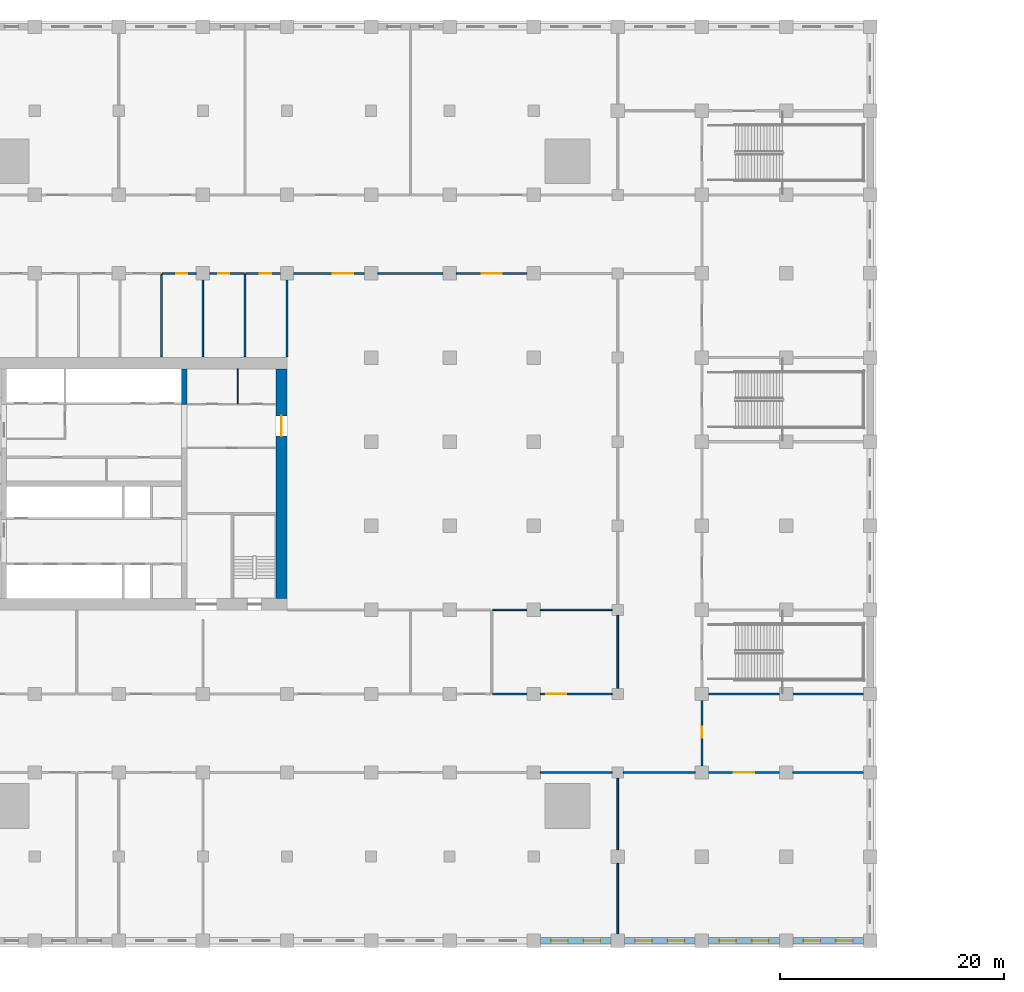
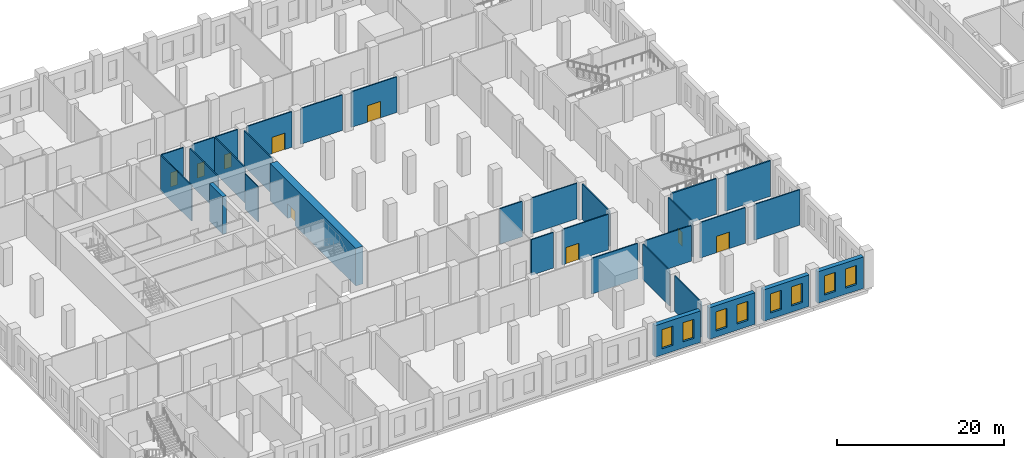
# One storey, part 7 of 25: 31 walls, 9 doors, 8 windows, 17 openings.
"""IFC4 building model written with IfcOpenShell, lengths in metres."""

from ifc_helpers import new_model, si_unit, direction, frame, frame_2d, origin, place, context, subcontext, project, spatial, rectangle, extrude, material, layer, layer_set, type_object, element, fill, save


model = new_model("IFC4")

# Units and contexts
model_context = context("Model", 3, precision=1e-05, world=origin(), true_north=direction((0.0, 1.0)))
body_context = subcontext(model_context, "Body", "Model", "MODEL_VIEW")
ifc_project = project(units=[si_unit("LENGTHUNIT", "METRE"), si_unit("AREAUNIT", "SQUARE_METRE"), si_unit("VOLUMEUNIT", "CUBIC_METRE"), si_unit("PLANEANGLEUNIT", "RADIAN"), si_unit("MASSUNIT", "GRAM", prefix="KILO")], contexts=[model_context])

# Site, building, storey
site_placement = place(None, origin())
site = spatial("IfcSite", under=ifc_project, at=site_placement, CompositionType="ELEMENT")
building_placement = place(site_placement, origin())
building = spatial("IfcBuilding", under=site, at=building_placement, Name="Tamorin Gate", CompositionType="ELEMENT")
storey_placement = place(building_placement, frame((0.0, 0.0, 23.5)))
storey = spatial("IfcBuildingStorey", under=building, at=storey_placement, Name="L04", CompositionType="ELEMENT", Elevation=23.5)

# Walls
ifc_material_1 = material(Name="Concrete masonry C20/25", Category="masonry")
ifc_layer_1 = layer(ifc_material_1, 0.14990234375)
ifc_layer_set_1 = layer_set([ifc_layer_1], Name="Partition 150")
wall_type_1 = type_object("IfcWallType", Name="Partition 150", PredefinedType="PARTITIONING", material=ifc_layer_set_1)
for number, where, z_axis, x_axis, name in (
    (1, (82.60009765625, 45.5, 0.0), (0.0, 0.0, 1.0), (1.0, 0.0, 0.0), "Partition 150 L04"),
    (2, (90.0, 45.5, 0.0), (0.0, 0.0, 1.0), (1.0, 0.0, 0.0), "Partition 150 L04"),
):
    element("IfcWall", number, at=place(storey_placement, frame(where, z_axis=z_axis, x_axis=x_axis)), inside=storey, type_object=wall_type_1, Name=name, PredefinedType="PARTITIONING", context=body_context, shape_type="SweptSolid", body=[
        extrude(rectangle(XDim=6.39990234375, YDim=0.14990234375, at=frame_2d((3.199951171875, 0.0))), origin(), (0.0, 0.0, 1.0), 5.199951171875),
    ])

# Wall, opening, door
wall_1_placement = place(storey_placement, frame((97.60009765625, 45.5, 0.0), z_axis=(0.0, 0.0, 1.0), x_axis=(1.0, 0.0, 0.0)))
wall_1 = element("IfcWall", 3, at=wall_1_placement, inside=storey, type_object=wall_type_1, Name="Partition 150 L04", PredefinedType="PARTITIONING", context=body_context, shape_type="SweptSolid", body=[
    extrude(rectangle(XDim=6.2998046875, YDim=0.14990234375, at=frame_2d((3.14990234375, 0.0))), origin(), (0.0, 0.0, 1.0), 5.199951171875),
])
opening_1_placement = place(wall_1_placement, frame((2.25, 0.0, 0.0)))
opening_1 = element("IfcOpeningElement", 4, at=opening_1_placement, cuts=wall_1, Name="Opening DP3", PredefinedType="OPENING", context=body_context, shape_type="SweptSolid", body=[
    extrude(rectangle(XDim=1.800048828125, YDim=2.39990234375, at=frame_2d((0.89990234375, 1.199951171875))), frame((0.0, 0.0849609375, 0.0), z_axis=(0.0, -1.0, 0.0), x_axis=(1.0, 0.0, 0.0)), (0.0, 0.0, 1.0), 0.169921875),
])
ifc_material_2 = material(Name="Steel and glass", Category="steel")
door_type_1 = type_object("IfcDoorType", Name="Door pair 1800", OperationType="DOUBLE_DOOR_SINGLE_SWING", PredefinedType="DOOR", material=ifc_material_2)
door_1_placement = place(opening_1_placement, origin())
door_1 = element("IfcDoor", 5, at=door_1_placement, inside=storey, type_object=door_type_1, Name="Door pair 1800 L04", OperationType="SINGLE_SWING_LEFT", OverallHeight=2.39990234375, OverallWidth=1.800048828125, PredefinedType="DOOR", context=body_context, shape_type="SweptSolid", body=[
    extrude(rectangle(XDim=1.800048828125, YDim=2.39990234375, at=frame_2d((0.89990234375, 1.199951171875))), frame((0.0, 0.02490234375, 0.0), z_axis=(0.0, -1.0, 0.0), x_axis=(1.0, 0.0, 0.0)), (0.0, 0.0, 1.0), 0.050048828125),
])
fill(opening_1, door_1)

# Walls
wall_2_placement = place(storey_placement, frame((105.10009765625, 45.5, 0.0), z_axis=(0.0, 0.0, 1.0), x_axis=(1.0, 0.0, 0.0)))
element("IfcWall", 6, at=wall_2_placement, inside=storey, type_object=wall_type_1, Name="Partition 150 L04", PredefinedType="PARTITIONING", context=body_context, shape_type="SweptSolid", body=[
    extrude(rectangle(XDim=6.2998046875, YDim=0.14990234375, at=frame_2d((3.14990234375, 0.0))), origin(), (0.0, 0.0, 1.0), 5.199951171875),
])
wall_3_placement = place(storey_placement, frame((78.324951171875, 52.5, 0.0), z_axis=(0.0, 0.0, 1.0), x_axis=(1.0, 0.0, 0.0)))
element("IfcWall", 7, at=wall_3_placement, inside=storey, type_object=wall_type_1, Name="Partition 150 L04", PredefinedType="PARTITIONING", context=body_context, shape_type="SweptSolid", body=[
    extrude(rectangle(XDim=3.074951171875, YDim=0.14990234375, at=frame_2d((1.53759765625, 0.0))), origin(), (0.0, 0.0, 1.0), 5.199951171875),
])

# Wall, opening, door
wall_4_placement = place(storey_placement, frame((89.0, 52.5, 0.0), z_axis=(0.0, 0.0, 1.0), x_axis=(-1.0, 0.0, 0.0)))
wall_4 = element("IfcWall", 8, at=wall_4_placement, inside=storey, type_object=wall_type_1, Name="Partition 150 L04", PredefinedType="PARTITIONING", context=body_context, shape_type="SweptSolid", body=[
    extrude(rectangle(XDim=6.39990234375, YDim=0.14990234375, at=frame_2d((3.199951171875, 0.0))), origin(), (0.0, 0.0, 1.0), 5.199951171875),
])
opening_2_placement = place(wall_4_placement, frame((4.10009765625, 0.0, 0.0)))
opening_2 = element("IfcOpeningElement", 9, at=opening_2_placement, cuts=wall_4, Name="Opening DP3", PredefinedType="OPENING", context=body_context, shape_type="SweptSolid", body=[
    extrude(rectangle(XDim=1.800048828125, YDim=2.39990234375, at=frame_2d((0.89990234375, 1.199951171875))), frame((0.0, 0.0849609375, 0.0), z_axis=(0.0, -1.0, 0.0), x_axis=(1.0, 0.0, 0.0)), (0.0, 0.0, 1.0), 0.169921875),
])
door_2_placement = place(opening_2_placement, origin())
door_2 = element("IfcDoor", 10, at=door_2_placement, inside=storey, type_object=door_type_1, Name="Door pair 1800 L04", OperationType="SINGLE_SWING_LEFT", OverallHeight=2.39990234375, OverallWidth=1.800048828125, PredefinedType="DOOR", context=body_context, shape_type="SweptSolid", body=[
    extrude(rectangle(XDim=1.800048828125, YDim=2.39990234375, at=frame_2d((0.89990234375, 1.199951171875))), frame((0.0, 0.02490234375, 0.0), z_axis=(0.0, -1.0, 0.0), x_axis=(1.0, 0.0, 0.0)), (0.0, 0.0, 1.0), 0.050048828125),
])
fill(opening_2, door_2)

# Walls
wall_5_placement = place(storey_placement, frame((78.324951171875, 60.0, 0.0), z_axis=(0.0, 0.0, 1.0), x_axis=(1.0, 0.0, 0.0)))
element("IfcWall", 11, at=wall_5_placement, inside=storey, type_object=wall_type_1, Name="Partition 150 L04", PredefinedType="PARTITIONING", context=body_context, shape_type="SweptSolid", body=[
    extrude(rectangle(XDim=3.074951171875, YDim=0.14990234375, at=frame_2d((1.53759765625, 0.0))), origin(), (0.0, 0.0, 1.0), 5.199951171875),
])
wall_6_placement = place(storey_placement, frame((82.60009765625, 60.0, 0.0), z_axis=(0.0, 0.0, 1.0), x_axis=(1.0, 0.0, 0.0)))
element("IfcWall", 12, at=wall_6_placement, inside=storey, type_object=wall_type_1, Name="Partition 150 L04", PredefinedType="PARTITIONING", context=body_context, shape_type="SweptSolid", body=[
    extrude(rectangle(XDim=6.39990234375, YDim=0.14990234375, at=frame_2d((3.199951171875, 0.0))), origin(), (0.0, 0.0, 1.0), 5.199951171875),
])

# Wall, opening, door
wall_7_placement = place(storey_placement, frame((48.875, 90.0, 0.0), z_axis=(0.0, 0.0, 1.0), x_axis=(1.0, 0.0, 0.0)))
wall_7 = element("IfcWall", 13, at=wall_7_placement, inside=storey, type_object=wall_type_1, Name="Partition 150 L04", PredefinedType="PARTITIONING", context=body_context, shape_type="SweptSolid", body=[
    extrude(rectangle(XDim=3.02490234375, YDim=0.14990234375, at=frame_2d((1.512451171875, 0.0))), origin(), (0.0, 0.0, 1.0), 5.199951171875),
])
opening_3_placement = place(wall_7_placement, frame((1.25, 0.0, 0.0)))
opening_3 = element("IfcOpeningElement", 14, at=opening_3_placement, cuts=wall_7, Name="Opening DP2", PredefinedType="OPENING", context=body_context, shape_type="SweptSolid", body=[
    extrude(rectangle(XDim=1.0, YDim=2.10009765625, at=frame_2d((0.5, 1.050048828125))), frame((0.0, 0.0849609375, 0.0), z_axis=(0.0, -1.0, 0.0), x_axis=(1.0, 0.0, 0.0)), (0.0, 0.0, 1.0), 0.169921875),
])
ifc_material_3 = material(Name="Painted steel", Category="steel")
door_type_2 = type_object("IfcDoorType", Name="Door single 1000", OperationType="SINGLE_SWING_LEFT", PredefinedType="DOOR", material=ifc_material_3)
door_3_placement = place(opening_3_placement, origin())
door_3 = element("IfcDoor", 15, at=door_3_placement, inside=storey, type_object=door_type_2, Name="Door single 1000 L04", OperationType="SINGLE_SWING_LEFT", OverallHeight=2.10009765625, OverallWidth=1.0, PredefinedType="DOOR", context=body_context, shape_type="SweptSolid", body=[
    extrude(rectangle(XDim=1.0, YDim=2.10009765625, at=frame_2d((0.5, 1.050048828125))), frame((0.0, 0.02490234375, 0.0), z_axis=(0.0, -1.0, 0.0), x_axis=(1.0, 0.0, 0.0)), (0.0, 0.0, 1.0), 0.050048828125),
])
fill(opening_3, door_3)

wall_8_placement = place(storey_placement, frame((53.10009765625, 90.0, 0.0), z_axis=(0.0, 0.0, 1.0), x_axis=(1.0, 0.0, 0.0)))
wall_8 = element("IfcWall", 16, at=wall_8_placement, inside=storey, type_object=wall_type_1, Name="Partition 150 L04", PredefinedType="PARTITIONING", context=body_context, shape_type="SweptSolid", body=[
    extrude(rectangle(XDim=3.074951171875, YDim=0.14990234375, at=frame_2d((1.53759765625, 0.0))), origin(), (0.0, 0.0, 1.0), 5.199951171875),
])
opening_4_placement = place(wall_8_placement, frame((0.75, 0.0, 0.0)))
opening_4 = element("IfcOpeningElement", 17, at=opening_4_placement, cuts=wall_8, Name="Opening DP2", PredefinedType="OPENING", context=body_context, shape_type="SweptSolid", body=[
    extrude(rectangle(XDim=1.0, YDim=2.10009765625, at=frame_2d((0.5, 1.050048828125))), frame((0.0, 0.0849609375, 0.0), z_axis=(0.0, -1.0, 0.0), x_axis=(1.0, 0.0, 0.0)), (0.0, 0.0, 1.0), 0.169921875),
])
door_4_placement = place(opening_4_placement, origin())
door_4 = element("IfcDoor", 18, at=door_4_placement, inside=storey, type_object=door_type_2, Name="Door single 1000 L04", OperationType="SINGLE_SWING_LEFT", OverallHeight=2.10009765625, OverallWidth=1.0, PredefinedType="DOOR", context=body_context, shape_type="SweptSolid", body=[
    extrude(rectangle(XDim=1.0, YDim=2.10009765625, at=frame_2d((0.5, 1.050048828125))), frame((0.0, 0.02490234375, 0.0), z_axis=(0.0, -1.0, 0.0), x_axis=(1.0, 0.0, 0.0)), (0.0, 0.0, 1.0), 0.050048828125),
])
fill(opening_4, door_4)

wall_9_placement = place(storey_placement, frame((56.324951171875, 90.0, 0.0), z_axis=(0.0, 0.0, 1.0), x_axis=(1.0, 0.0, 0.0)))
wall_9 = element("IfcWall", 19, at=wall_9_placement, inside=storey, type_object=wall_type_1, Name="Partition 150 L04", PredefinedType="PARTITIONING", context=body_context, shape_type="SweptSolid", body=[
    extrude(rectangle(XDim=3.074951171875, YDim=0.14990234375, at=frame_2d((1.53759765625, 0.0))), origin(), (0.0, 0.0, 1.0), 5.199951171875),
])
opening_5_placement = place(wall_9_placement, frame((1.25, 0.0, 0.0)))
opening_5 = element("IfcOpeningElement", 20, at=opening_5_placement, cuts=wall_9, Name="Opening DP2", PredefinedType="OPENING", context=body_context, shape_type="SweptSolid", body=[
    extrude(rectangle(XDim=1.0, YDim=2.10009765625, at=frame_2d((0.5, 1.050048828125))), frame((0.0, 0.0849609375, 0.0), z_axis=(0.0, -1.0, 0.0), x_axis=(1.0, 0.0, 0.0)), (0.0, 0.0, 1.0), 0.169921875),
])
door_5_placement = place(opening_5_placement, origin())
door_5 = element("IfcDoor", 21, at=door_5_placement, inside=storey, type_object=door_type_2, Name="Door single 1000 L04", OperationType="SINGLE_SWING_LEFT", OverallHeight=2.10009765625, OverallWidth=1.0, PredefinedType="DOOR", context=body_context, shape_type="SweptSolid", body=[
    extrude(rectangle(XDim=1.0, YDim=2.10009765625, at=frame_2d((0.5, 1.050048828125))), frame((0.0, 0.02490234375, 0.0), z_axis=(0.0, -1.0, 0.0), x_axis=(1.0, 0.0, 0.0)), (0.0, 0.0, 1.0), 0.050048828125),
])
fill(opening_5, door_5)

wall_10_placement = place(storey_placement, frame((60.60009765625, 90.0, 0.0), z_axis=(0.0, 0.0, 1.0), x_axis=(1.0, 0.0, 0.0)))
wall_10 = element("IfcWall", 22, at=wall_10_placement, inside=storey, type_object=wall_type_1, Name="Partition 150 L04", PredefinedType="PARTITIONING", context=body_context, shape_type="SweptSolid", body=[
    extrude(rectangle(XDim=6.2998046875, YDim=0.14990234375, at=frame_2d((3.14990234375, 0.0))), origin(), (0.0, 0.0, 1.0), 5.199951171875),
])
opening_6_placement = place(wall_10_placement, frame((3.5, 0.0, 0.0)))
opening_6 = element("IfcOpeningElement", 23, at=opening_6_placement, cuts=wall_10, Name="Opening DP3", PredefinedType="OPENING", context=body_context, shape_type="SweptSolid", body=[
    extrude(rectangle(XDim=1.800048828125, YDim=2.39990234375, at=frame_2d((0.89990234375, 1.199951171875))), frame((0.0, 0.0849609375, 0.0), z_axis=(0.0, -1.0, 0.0), x_axis=(1.0, 0.0, 0.0)), (0.0, 0.0, 1.0), 0.169921875),
])
door_6_placement = place(opening_6_placement, origin())
door_6 = element("IfcDoor", 24, at=door_6_placement, inside=storey, type_object=door_type_1, Name="Door pair 1800 L04", OperationType="SINGLE_SWING_LEFT", OverallHeight=2.39990234375, OverallWidth=1.800048828125, PredefinedType="DOOR", context=body_context, shape_type="SweptSolid", body=[
    extrude(rectangle(XDim=1.800048828125, YDim=2.39990234375, at=frame_2d((0.89990234375, 1.199951171875))), frame((0.0, 0.02490234375, 0.0), z_axis=(0.0, -1.0, 0.0), x_axis=(1.0, 0.0, 0.0)), (0.0, 0.0, 1.0), 0.050048828125),
])
fill(opening_6, door_6)

# Wall
wall_11_placement = place(storey_placement, frame((68.10009765625, 90.0, 0.0), z_axis=(0.0, 0.0, 1.0), x_axis=(1.0, 0.0, 0.0)))
element("IfcWall", 25, at=wall_11_placement, inside=storey, type_object=wall_type_1, Name="Partition 150 L04", PredefinedType="PARTITIONING", context=body_context, shape_type="SweptSolid", body=[
    extrude(rectangle(XDim=5.7998046875, YDim=0.14990234375, at=frame_2d((2.89990234375, 0.0))), origin(), (0.0, 0.0, 1.0), 5.199951171875),
])

# Wall, opening, door
wall_12_placement = place(storey_placement, frame((75.10009765625, 90.0, 0.0), z_axis=(0.0, 0.0, 1.0), x_axis=(1.0, 0.0, 0.0)))
wall_12 = element("IfcWall", 26, at=wall_12_placement, inside=storey, type_object=wall_type_1, Name="Partition 150 L04", PredefinedType="PARTITIONING", context=body_context, shape_type="SweptSolid", body=[
    extrude(rectangle(XDim=6.2998046875, YDim=0.14990234375, at=frame_2d((3.14990234375, 0.0))), origin(), (0.0, 0.0, 1.0), 5.199951171875),
])
opening_7_placement = place(wall_12_placement, frame((2.25, 0.0, 0.0)))
opening_7 = element("IfcOpeningElement", 27, at=opening_7_placement, cuts=wall_12, Name="Opening DP3", PredefinedType="OPENING", context=body_context, shape_type="SweptSolid", body=[
    extrude(rectangle(XDim=1.800048828125, YDim=2.39990234375, at=frame_2d((0.89990234375, 1.199951171875))), frame((0.0, 0.0849609375, 0.0), z_axis=(0.0, -1.0, 0.0), x_axis=(1.0, 0.0, 0.0)), (0.0, 0.0, 1.0), 0.169921875),
])
door_7_placement = place(opening_7_placement, origin())
door_7 = element("IfcDoor", 28, at=door_7_placement, inside=storey, type_object=door_type_1, Name="Door pair 1800 L04", OperationType="SINGLE_SWING_LEFT", OverallHeight=2.39990234375, OverallWidth=1.800048828125, PredefinedType="DOOR", context=body_context, shape_type="SweptSolid", body=[
    extrude(rectangle(XDim=1.800048828125, YDim=2.39990234375, at=frame_2d((0.89990234375, 1.199951171875))), frame((0.0, 0.02490234375, 0.0), z_axis=(0.0, -1.0, 0.0), x_axis=(1.0, 0.0, 0.0)), (0.0, 0.0, 1.0), 0.050048828125),
])
fill(opening_7, door_7)

wall_13_placement = place(storey_placement, frame((97.0, 46.10009765625, 0.0), z_axis=(0.0, 0.0, 1.0), x_axis=(0.0, 1.0, 0.0)))
wall_13 = element("IfcWall", 29, at=wall_13_placement, inside=storey, type_object=wall_type_1, Name="Partition 150 L04", PredefinedType="PARTITIONING", context=body_context, shape_type="SweptSolid", body=[
    extrude(rectangle(XDim=5.7998046875, YDim=0.14990234375, at=frame_2d((2.89990234375, 0.0))), origin(), (0.0, 0.0, 1.0), 5.199951171875),
])
opening_8_placement = place(wall_13_placement, frame((2.5, 0.0, 0.0)))
opening_8 = element("IfcOpeningElement", 30, at=opening_8_placement, cuts=wall_13, Name="Opening DP2", PredefinedType="OPENING", context=body_context, shape_type="SweptSolid", body=[
    extrude(rectangle(XDim=1.0, YDim=2.10009765625, at=frame_2d((0.5, 1.050048828125))), frame((0.0, 0.0849609375, 0.0), z_axis=(0.0, -1.0, 0.0), x_axis=(1.0, 0.0, 0.0)), (0.0, 0.0, 1.0), 0.169921875),
])
door_8_placement = place(opening_8_placement, origin())
door_8 = element("IfcDoor", 31, at=door_8_placement, inside=storey, type_object=door_type_2, Name="Door single 1000 L04", OperationType="SINGLE_SWING_LEFT", OverallHeight=2.10009765625, OverallWidth=1.0, PredefinedType="DOOR", context=body_context, shape_type="SweptSolid", body=[
    extrude(rectangle(XDim=1.0, YDim=2.10009765625, at=frame_2d((0.5, 1.050048828125))), frame((0.0, 0.02490234375, 0.0), z_axis=(0.0, -1.0, 0.0), x_axis=(1.0, 0.0, 0.0)), (0.0, 0.0, 1.0), 0.050048828125),
])
fill(opening_8, door_8)

# Walls
wall_14_placement = place(storey_placement, frame((52.5, 82.574951171875, 0.0), z_axis=(0.0, 0.0, 1.0), x_axis=(0.0, 1.0, 0.0)))
element("IfcWall", 32, at=wall_14_placement, inside=storey, type_object=wall_type_1, Name="Partition 150 L04", PredefinedType="PARTITIONING", context=body_context, shape_type="SweptSolid", body=[
    extrude(rectangle(XDim=6.824951171875, YDim=0.14990234375, at=frame_2d((3.41259765625, 0.0))), origin(), (0.0, 0.0, 1.0), 5.199951171875),
])
wall_15_placement = place(storey_placement, frame((89.5, 31.10009765625, 0.0), z_axis=(0.0, 0.0, 1.0), x_axis=(0.0, 1.0, 0.0)))
element("IfcWall", 33, at=wall_15_placement, inside=storey, type_object=wall_type_1, Name="Partition 150 L04", PredefinedType="PARTITIONING", context=body_context, shape_type="SweptSolid", body=[
    extrude(rectangle(XDim=6.2998046875, YDim=0.14990234375, at=frame_2d((3.14990234375, 0.0))), origin(), (0.0, 0.0, 1.0), 5.199951171875),
])
wall_16_placement = place(storey_placement, frame((89.5, 38.60009765625, 0.0), z_axis=(0.0, 0.0, 1.0), x_axis=(0.0, 1.0, 0.0)))
element("IfcWall", 34, at=wall_16_placement, inside=storey, type_object=wall_type_1, Name="Partition 150 L04", PredefinedType="PARTITIONING", context=body_context, shape_type="SweptSolid", body=[
    extrude(rectangle(XDim=6.39990234375, YDim=0.14990234375, at=frame_2d((3.199951171875, 0.0))), origin(), (0.0, 0.0, 1.0), 5.199951171875),
])
wall_17_placement = place(storey_placement, frame((89.5, 53.0, 0.0), z_axis=(0.0, 0.0, 1.0), x_axis=(0.0, 1.0, 0.0)))
element("IfcWall", 35, at=wall_17_placement, inside=storey, type_object=wall_type_1, Name="Partition 150 L04", PredefinedType="PARTITIONING", context=body_context, shape_type="SweptSolid", body=[
    extrude(rectangle(XDim=6.5, YDim=0.14990234375, at=frame_2d((3.25, 0.0))), origin(), (0.0, 0.0, 1.0), 5.199951171875),
])
for number, where, z_axis, x_axis, name in (
    (36, (56.25, 82.574951171875, 0.0), (0.0, 0.0, 1.0), (0.0, 1.0, 0.0), "Partition 150 L04"),
    (37, (48.800048828125, 82.574951171875, 0.0), (0.0, 0.0, 1.0), (0.0, 1.0, 0.0), "Partition 150 L04"),
):
    element("IfcWall", number, at=place(storey_placement, frame(where, z_axis=z_axis, x_axis=x_axis)), inside=storey, type_object=wall_type_1, Name=name, PredefinedType="PARTITIONING", context=body_context, shape_type="SweptSolid", body=[
        extrude(rectangle(XDim=7.35009765625, YDim=0.14990234375, at=frame_2d((3.675048828125, 0.0))), origin(), (0.0, 0.0, 1.0), 5.199951171875),
    ])
wall_18_placement = place(storey_placement, frame((60.0, 82.574951171875, 0.0), z_axis=(0.0, 0.0, 1.0), x_axis=(0.0, 1.0, 0.0)))
element("IfcWall", 38, at=wall_18_placement, inside=storey, type_object=wall_type_1, Name="Partition 150 L04", PredefinedType="PARTITIONING", context=body_context, shape_type="SweptSolid", body=[
    extrude(rectangle(XDim=6.824951171875, YDim=0.14990234375, at=frame_2d((3.41259765625, 0.0))), origin(), (0.0, 0.0, 1.0), 5.199951171875),
])

# Wall, openings, windows
ifc_material_4 = material(Name="Precast concrete C40/50", Category="concrete")
ifc_layer_2 = layer(ifc_material_4, 0.60009765625)
ifc_layer_set_2 = layer_set([ifc_layer_2], Name="Precast concrete C40/50")
wall_type_2 = type_object("IfcWallType", Name="Precast plinth wall 600", PredefinedType="PARTITIONING", material=ifc_layer_set_2)
wall_19_placement = place(storey_placement, frame((82.60009765625, 30.5, 0.0), z_axis=(0.0, 0.0, 1.0), x_axis=(1.0, 0.0, 0.0)))
wall_19 = element("IfcWall", 39, at=wall_19_placement, inside=storey, type_object=wall_type_2, Name="Precast plinth wall 600 L04", PredefinedType="PARTITIONING", context=body_context, shape_type="SweptSolid", body=[
    extrude(rectangle(XDim=6.2998046875, YDim=0.60009765625, at=frame_2d((3.14990234375, 0.0))), origin(), (0.0, 0.0, 1.0), 4.60009765625),
])
opening_9_placement = place(wall_19_placement, frame((0.950927734375, 0.0, 0.89990234375)))
opening_9 = element("IfcOpeningElement", 40, at=opening_9_placement, cuts=wall_19, Name="Opening PWN5", PredefinedType="OPENING", context=body_context, shape_type="SweptSolid", body=[
    extrude(rectangle(XDim=1.5, YDim=2.800048828125, at=frame_2d((0.75, 1.39990234375))), frame((0.0, 0.31005859375, 0.0), z_axis=(0.0, -1.0, 0.0), x_axis=(1.0, 0.0, 0.0)), (0.0, 0.0, 1.0), 0.6201171875),
])
opening_10_placement = place(wall_19_placement, frame((3.84912109375, 0.0, 0.89990234375)))
opening_10 = element("IfcOpeningElement", 41, at=opening_10_placement, cuts=wall_19, Name="Opening PWN5", PredefinedType="OPENING", context=body_context, shape_type="SweptSolid", body=[
    extrude(rectangle(XDim=1.5, YDim=2.800048828125, at=frame_2d((0.75, 1.39990234375))), frame((0.0, 0.31005859375, 0.0), z_axis=(0.0, -1.0, 0.0), x_axis=(1.0, 0.0, 0.0)), (0.0, 0.0, 1.0), 0.6201171875),
])
ifc_material_5 = material(Name="Aluminium and glass", Category="aluminium")
window_type = type_object("IfcWindowType", Name="Plinth window 1500x2800", PartitioningType="DOUBLE_PANEL_VERTICAL", PredefinedType="WINDOW", material=ifc_material_5)
window_1_placement = place(opening_9_placement, origin())
window_1 = element("IfcWindow", 42, at=window_1_placement, inside=storey, type_object=window_type, Name="Plinth window 1500x2800", OverallHeight=2.800048828125, OverallWidth=1.5, PartitioningType="SINGLE_PANEL", PredefinedType="WINDOW", context=body_context, shape_type="SweptSolid", body=[
    extrude(rectangle(XDim=1.5, YDim=2.800048828125, at=frame_2d((0.75, 1.39990234375))), frame((0.0, 0.030029296875, 0.0), z_axis=(0.0, -1.0, 0.0), x_axis=(1.0, 0.0, 0.0)), (0.0, 0.0, 1.0), 0.06005859375),
])
fill(opening_9, window_1)
window_2_placement = place(opening_10_placement, origin())
window_2 = element("IfcWindow", 43, at=window_2_placement, inside=storey, type_object=window_type, Name="Plinth window 1500x2800", OverallHeight=2.800048828125, OverallWidth=1.5, PartitioningType="SINGLE_PANEL", PredefinedType="WINDOW", context=body_context, shape_type="SweptSolid", body=[
    extrude(rectangle(XDim=1.5, YDim=2.800048828125, at=frame_2d((0.75, 1.39990234375))), frame((0.0, 0.030029296875, 0.0), z_axis=(0.0, -1.0, 0.0), x_axis=(1.0, 0.0, 0.0)), (0.0, 0.0, 1.0), 0.06005859375),
])
fill(opening_10, window_2)

wall_20_placement = place(storey_placement, frame((90.10009765625, 30.5, 0.0), z_axis=(0.0, 0.0, 1.0), x_axis=(1.0, 0.0, 0.0)))
wall_20 = element("IfcWall", 44, at=wall_20_placement, inside=storey, type_object=wall_type_2, Name="Precast plinth wall 600 L04", PredefinedType="PARTITIONING", context=body_context, shape_type="SweptSolid", body=[
    extrude(rectangle(XDim=6.2998046875, YDim=0.60009765625, at=frame_2d((3.14990234375, 0.0))), origin(), (0.0, 0.0, 1.0), 4.60009765625),
])
opening_11_placement = place(wall_20_placement, frame((0.950927734375, 0.0, 0.89990234375)))
opening_11 = element("IfcOpeningElement", 45, at=opening_11_placement, cuts=wall_20, Name="Opening PWN5", PredefinedType="OPENING", context=body_context, shape_type="SweptSolid", body=[
    extrude(rectangle(XDim=1.5, YDim=2.800048828125, at=frame_2d((0.75, 1.39990234375))), frame((0.0, 0.31005859375, 0.0), z_axis=(0.0, -1.0, 0.0), x_axis=(1.0, 0.0, 0.0)), (0.0, 0.0, 1.0), 0.6201171875),
])
opening_12_placement = place(wall_20_placement, frame((3.84912109375, 0.0, 0.89990234375)))
opening_12 = element("IfcOpeningElement", 46, at=opening_12_placement, cuts=wall_20, Name="Opening PWN5", PredefinedType="OPENING", context=body_context, shape_type="SweptSolid", body=[
    extrude(rectangle(XDim=1.5, YDim=2.800048828125, at=frame_2d((0.75, 1.39990234375))), frame((0.0, 0.31005859375, 0.0), z_axis=(0.0, -1.0, 0.0), x_axis=(1.0, 0.0, 0.0)), (0.0, 0.0, 1.0), 0.6201171875),
])
window_3_placement = place(opening_11_placement, origin())
window_3 = element("IfcWindow", 47, at=window_3_placement, inside=storey, type_object=window_type, Name="Plinth window 1500x2800", OverallHeight=2.800048828125, OverallWidth=1.5, PartitioningType="SINGLE_PANEL", PredefinedType="WINDOW", context=body_context, shape_type="SweptSolid", body=[
    extrude(rectangle(XDim=1.5, YDim=2.800048828125, at=frame_2d((0.75, 1.39990234375))), frame((0.0, 0.030029296875, 0.0), z_axis=(0.0, -1.0, 0.0), x_axis=(1.0, 0.0, 0.0)), (0.0, 0.0, 1.0), 0.06005859375),
])
fill(opening_11, window_3)
window_4_placement = place(opening_12_placement, origin())
window_4 = element("IfcWindow", 48, at=window_4_placement, inside=storey, type_object=window_type, Name="Plinth window 1500x2800", OverallHeight=2.800048828125, OverallWidth=1.5, PartitioningType="SINGLE_PANEL", PredefinedType="WINDOW", context=body_context, shape_type="SweptSolid", body=[
    extrude(rectangle(XDim=1.5, YDim=2.800048828125, at=frame_2d((0.75, 1.39990234375))), frame((0.0, 0.030029296875, 0.0), z_axis=(0.0, -1.0, 0.0), x_axis=(1.0, 0.0, 0.0)), (0.0, 0.0, 1.0), 0.06005859375),
])
fill(opening_12, window_4)

wall_21_placement = place(storey_placement, frame((97.60009765625, 30.5, 0.0), z_axis=(0.0, 0.0, 1.0), x_axis=(1.0, 0.0, 0.0)))
wall_21 = element("IfcWall", 49, at=wall_21_placement, inside=storey, type_object=wall_type_2, Name="Precast plinth wall 600 L04", PredefinedType="PARTITIONING", context=body_context, shape_type="SweptSolid", body=[
    extrude(rectangle(XDim=6.2998046875, YDim=0.60009765625, at=frame_2d((3.14990234375, 0.0))), origin(), (0.0, 0.0, 1.0), 4.60009765625),
])
opening_13_placement = place(wall_21_placement, frame((0.950927734375, 0.0, 0.89990234375)))
opening_13 = element("IfcOpeningElement", 50, at=opening_13_placement, cuts=wall_21, Name="Opening PWN5", PredefinedType="OPENING", context=body_context, shape_type="SweptSolid", body=[
    extrude(rectangle(XDim=1.5, YDim=2.800048828125, at=frame_2d((0.75, 1.39990234375))), frame((0.0, 0.31005859375, 0.0), z_axis=(0.0, -1.0, 0.0), x_axis=(1.0, 0.0, 0.0)), (0.0, 0.0, 1.0), 0.6201171875),
])
opening_14_placement = place(wall_21_placement, frame((3.84912109375, 0.0, 0.89990234375)))
opening_14 = element("IfcOpeningElement", 51, at=opening_14_placement, cuts=wall_21, Name="Opening PWN5", PredefinedType="OPENING", context=body_context, shape_type="SweptSolid", body=[
    extrude(rectangle(XDim=1.5, YDim=2.800048828125, at=frame_2d((0.75, 1.39990234375))), frame((0.0, 0.31005859375, 0.0), z_axis=(0.0, -1.0, 0.0), x_axis=(1.0, 0.0, 0.0)), (0.0, 0.0, 1.0), 0.6201171875),
])
window_5_placement = place(opening_13_placement, origin())
window_5 = element("IfcWindow", 52, at=window_5_placement, inside=storey, type_object=window_type, Name="Plinth window 1500x2800", OverallHeight=2.800048828125, OverallWidth=1.5, PartitioningType="SINGLE_PANEL", PredefinedType="WINDOW", context=body_context, shape_type="SweptSolid", body=[
    extrude(rectangle(XDim=1.5, YDim=2.800048828125, at=frame_2d((0.75, 1.39990234375))), frame((0.0, 0.030029296875, 0.0), z_axis=(0.0, -1.0, 0.0), x_axis=(1.0, 0.0, 0.0)), (0.0, 0.0, 1.0), 0.06005859375),
])
fill(opening_13, window_5)
window_6_placement = place(opening_14_placement, origin())
window_6 = element("IfcWindow", 53, at=window_6_placement, inside=storey, type_object=window_type, Name="Plinth window 1500x2800", OverallHeight=2.800048828125, OverallWidth=1.5, PartitioningType="SINGLE_PANEL", PredefinedType="WINDOW", context=body_context, shape_type="SweptSolid", body=[
    extrude(rectangle(XDim=1.5, YDim=2.800048828125, at=frame_2d((0.75, 1.39990234375))), frame((0.0, 0.030029296875, 0.0), z_axis=(0.0, -1.0, 0.0), x_axis=(1.0, 0.0, 0.0)), (0.0, 0.0, 1.0), 0.06005859375),
])
fill(opening_14, window_6)

wall_22_placement = place(storey_placement, frame((105.10009765625, 30.5, 0.0), z_axis=(0.0, 0.0, 1.0), x_axis=(1.0, 0.0, 0.0)))
wall_22 = element("IfcWall", 54, at=wall_22_placement, inside=storey, type_object=wall_type_2, Name="Precast plinth wall 600 L04", PredefinedType="PARTITIONING", context=body_context, shape_type="SweptSolid", body=[
    extrude(rectangle(XDim=6.2998046875, YDim=0.60009765625, at=frame_2d((3.14990234375, 0.0))), origin(), (0.0, 0.0, 1.0), 4.60009765625),
])
opening_15_placement = place(wall_22_placement, frame((0.950927734375, 0.0, 0.89990234375)))
opening_15 = element("IfcOpeningElement", 55, at=opening_15_placement, cuts=wall_22, Name="Opening PWN5", PredefinedType="OPENING", context=body_context, shape_type="SweptSolid", body=[
    extrude(rectangle(XDim=1.5, YDim=2.800048828125, at=frame_2d((0.75, 1.39990234375))), frame((0.0, 0.31005859375, 0.0), z_axis=(0.0, -1.0, 0.0), x_axis=(1.0, 0.0, 0.0)), (0.0, 0.0, 1.0), 0.6201171875),
])
opening_16_placement = place(wall_22_placement, frame((3.84912109375, 0.0, 0.89990234375)))
opening_16 = element("IfcOpeningElement", 56, at=opening_16_placement, cuts=wall_22, Name="Opening PWN5", PredefinedType="OPENING", context=body_context, shape_type="SweptSolid", body=[
    extrude(rectangle(XDim=1.5, YDim=2.800048828125, at=frame_2d((0.75, 1.39990234375))), frame((0.0, 0.31005859375, 0.0), z_axis=(0.0, -1.0, 0.0), x_axis=(1.0, 0.0, 0.0)), (0.0, 0.0, 1.0), 0.6201171875),
])
window_7_placement = place(opening_15_placement, origin())
window_7 = element("IfcWindow", 57, at=window_7_placement, inside=storey, type_object=window_type, Name="Plinth window 1500x2800", OverallHeight=2.800048828125, OverallWidth=1.5, PartitioningType="SINGLE_PANEL", PredefinedType="WINDOW", context=body_context, shape_type="SweptSolid", body=[
    extrude(rectangle(XDim=1.5, YDim=2.800048828125, at=frame_2d((0.75, 1.39990234375))), frame((0.0, 0.030029296875, 0.0), z_axis=(0.0, -1.0, 0.0), x_axis=(1.0, 0.0, 0.0)), (0.0, 0.0, 1.0), 0.06005859375),
])
fill(opening_15, window_7)
window_8_placement = place(opening_16_placement, origin())
window_8 = element("IfcWindow", 58, at=window_8_placement, inside=storey, type_object=window_type, Name="Plinth window 1500x2800", OverallHeight=2.800048828125, OverallWidth=1.5, PartitioningType="SINGLE_PANEL", PredefinedType="WINDOW", context=body_context, shape_type="SweptSolid", body=[
    extrude(rectangle(XDim=1.5, YDim=2.800048828125, at=frame_2d((0.75, 1.39990234375))), frame((0.0, 0.030029296875, 0.0), z_axis=(0.0, -1.0, 0.0), x_axis=(1.0, 0.0, 0.0)), (0.0, 0.0, 1.0), 0.06005859375),
])
fill(opening_16, window_8)

# Wall
ifc_material_6 = material(Name="Concrete C80/95", Category="concrete")
ifc_layer_3 = layer(ifc_material_6, 0.5)
ifc_layer_set_3 = layer_set([ifc_layer_3], Name="RC core internal wall 500 C80/95")
wall_type_3 = type_object("IfcWallType", Name="RC core internal wall 500 C80/95", PredefinedType="SHEAR", material=ifc_layer_set_3)
wall_23_placement = place(storey_placement, frame((50.85009765625, 78.300048828125, 0.0), z_axis=(0.0, 0.0, 1.0), x_axis=(0.0, 1.0, 0.0)))
element("IfcWall", 59, at=wall_23_placement, inside=storey, type_object=wall_type_3, Name="Core cross wall L04", PredefinedType="SHEAR", context=body_context, shape_type="SweptSolid", body=[
    extrude(rectangle(XDim=3.199951171875, YDim=0.5, at=frame_2d((1.60009765625, 0.0))), origin(), (0.0, 0.0, 1.0), 5.5),
])

# Wall, opening, door
ifc_layer_4 = layer(ifc_material_6, 1.0)
ifc_layer_set_4 = layer_set([ifc_layer_4], Name="RC core wall 1000 C80/95")
wall_type_4 = type_object("IfcWallType", Name="RC core wall 1000 C80/95", PredefinedType="SHEAR", material=ifc_layer_set_4)
wall_24_placement = place(storey_placement, frame((59.5, 61.0, 0.0), z_axis=(0.0, 0.0, 1.0), x_axis=(0.0, 1.0, 0.0)))
wall_24 = element("IfcWall", 60, at=wall_24_placement, inside=storey, type_object=wall_type_4, Name="Core wall L04", PredefinedType="SHEAR", context=body_context, shape_type="SweptSolid", body=[
    extrude(rectangle(XDim=20.5, YDim=1.0, at=frame_2d((10.25, 0.0))), origin(), (0.0, 0.0, 1.0), 5.5),
])
opening_17_placement = place(wall_24_placement, frame((14.5, 0.0, 0.0)))
opening_17 = element("IfcOpeningElement", 61, at=opening_17_placement, cuts=wall_24, Name="Opening DE1", PredefinedType="OPENING", context=body_context, shape_type="SweptSolid", body=[
    extrude(rectangle(XDim=1.800048828125, YDim=2.10009765625, at=frame_2d((0.89990234375, 1.050048828125))), frame((0.0, 0.510009765625, 0.0), z_axis=(0.0, -1.0, 0.0), x_axis=(1.0, 0.0, 0.0)), (0.0, 0.0, 1.0), 1.02001953125),
])
ifc_material_7 = material(Name="Steel fire door", Category="steel")
door_type_3 = type_object("IfcDoorType", Name="Lobby exit double door 1800 x 2100 EI 60", OperationType="DOUBLE_DOOR_SINGLE_SWING", PredefinedType="DOOR", material=ifc_material_7)
door_9_placement = place(opening_17_placement, origin())
door_9 = element("IfcDoor", 62, at=door_9_placement, inside=storey, type_object=door_type_3, Name="Lift lobby B exit door", OperationType="DOUBLE_DOOR_SINGLE_SWING", OverallHeight=2.10009765625, OverallWidth=1.800048828125, PredefinedType="DOOR", context=body_context, shape_type="SweptSolid", body=[
    extrude(rectangle(XDim=1.800048828125, YDim=2.10009765625, at=frame_2d((0.89990234375, 1.050048828125))), frame((0.0, 0.02490234375, 0.0), z_axis=(0.0, -1.0, 0.0), x_axis=(1.0, 0.0, 0.0)), (0.0, 0.0, 1.0), 0.050048828125),
])
fill(opening_17, door_9)

# Walls
ifc_material_8 = material(Name="Gypsum board partition")
ifc_layer_5 = layer(ifc_material_8, 0.10009765625)
ifc_layer_set_5 = layer_set([ifc_layer_5], Name="Service room partition 100 EI 60")
wall_type_5 = type_object("IfcWallType", Name="Service room partition 100 EI 60", PredefinedType="PARTITIONING", material=ifc_layer_set_5)
wall_25_placement = place(storey_placement, frame((55.60009765625, 78.39990234375, 0.0), z_axis=(0.0, 0.0, 1.0), x_axis=(0.0, 1.0, 0.0)))
element("IfcWall", 63, at=wall_25_placement, inside=storey, type_object=wall_type_5, Name="Service room partition", PredefinedType="PARTITIONING", context=body_context, shape_type="SweptSolid", body=[
    extrude(rectangle(XDim=3.10009765625, YDim=0.10009765625, at=frame_2d((1.550048828125, 0.0))), origin(), (0.0, 0.0, 1.0), 5.199951171875),
])
ifc_material_9 = material(Name="Concrete C40/50", Category="concrete")
ifc_layer_6 = layer(ifc_material_9, 0.199951171875)
ifc_layer_set_6 = layer_set([ifc_layer_6], Name="Stair enclosure 200")
wall_type_6 = type_object("IfcWallType", Name="Stair enclosure 200", PredefinedType="SHEAR", material=ifc_layer_set_6)
for number, where, z_axis, x_axis, name in (
    (64, (97.60009765625, 52.5, 0.0), (0.0, 0.0, 1.0), (1.0, 0.0, 0.0), "Stair enclosure 200 L04"),
    (65, (105.10009765625, 52.5, 0.0), (0.0, 0.0, 1.0), (1.0, 0.0, 0.0), "Stair enclosure 200 L04"),
):
    element("IfcWall", number, at=place(storey_placement, frame(where, z_axis=z_axis, x_axis=x_axis)), inside=storey, type_object=wall_type_6, Name=name, PredefinedType="SHEAR", context=body_context, shape_type="SweptSolid", body=[
        extrude(rectangle(XDim=6.2998046875, YDim=0.199951171875, at=frame_2d((3.14990234375, 0.0))), origin(), (0.0, 0.0, 1.0), 5.199951171875),
    ])

save(model, "model.ifc")
